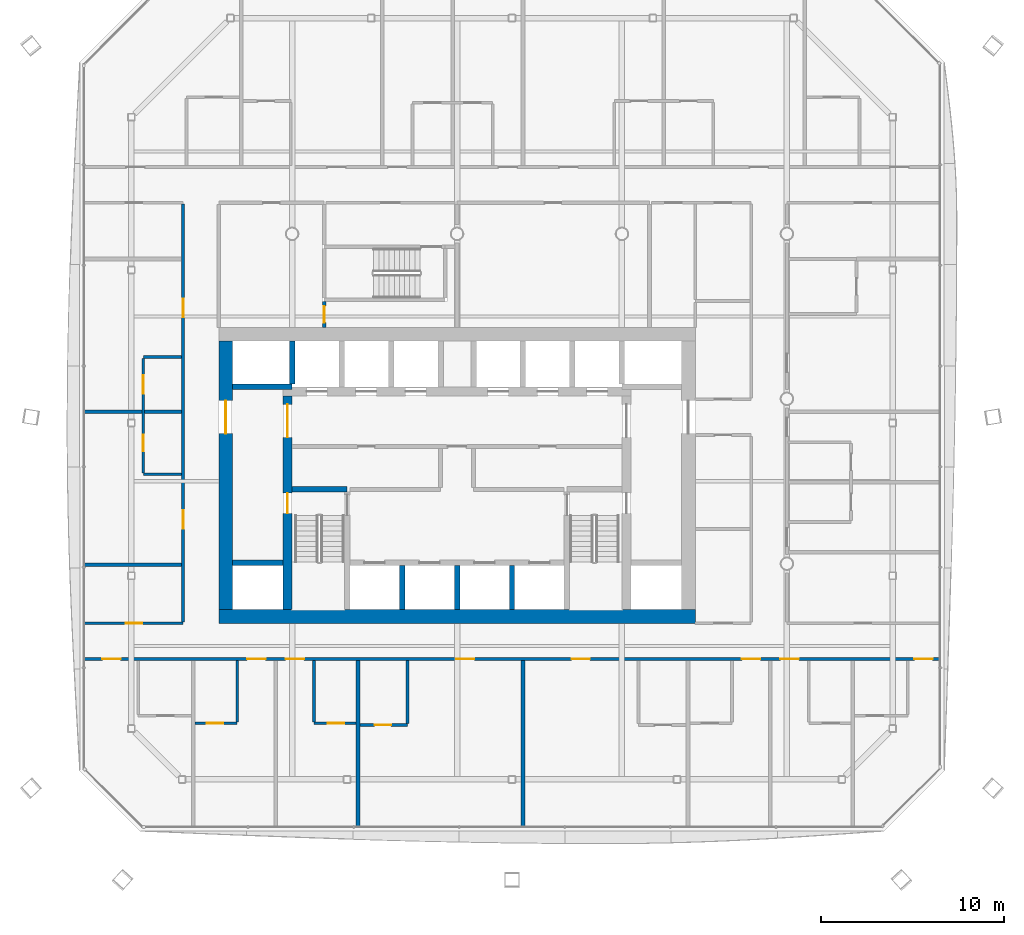
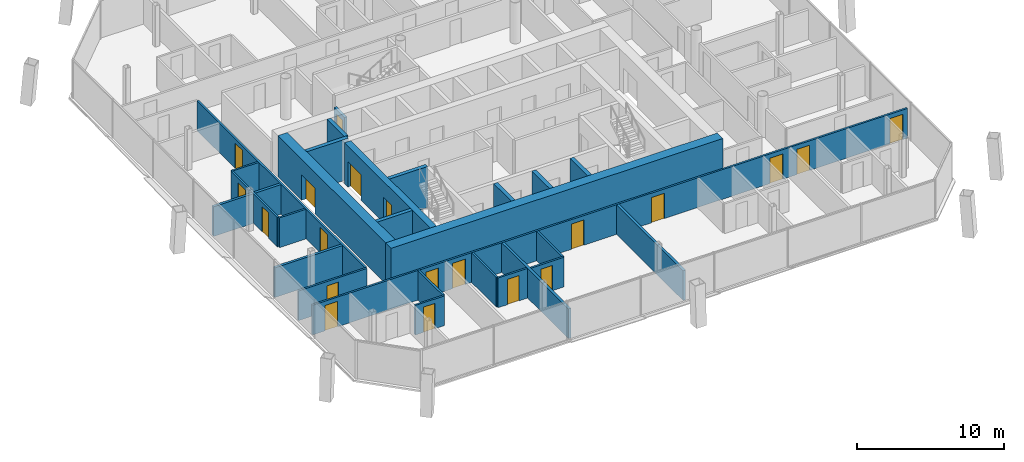
# One storey, part 13 of 22: 27 walls, 20 doors, 20 openings.
"""IFC4 building model written with IfcOpenShell, lengths in metres."""

import ifcopenshell
import ifcopenshell.guid

model = None  # the IFC model being written
_history = None  # IfcOwnerHistory: only IFC2X3 demands one
_inside = {}  # id of a spatial element -> (the spatial element, [elements in it])
_under = {}  # id of a project, library or spatial element -> (it, [spatial elements below it])
_declared = {}  # id of a project -> (the project, [libraries it declares])
_typed = {}  # id of a type object -> (the type object, [elements of that type])
_made_of = {}  # id of a material, layer set ... -> (it, [elements and type objects made of it])


def new_model(schema):
    """Start an empty IFC model of exactly this schema.

    Asked for "IFC4X3", IfcOpenShell would pick the latest addendum, in which some entities
    have other attributes; the version numbers below select the first issue.
    IFC2X3 requires an IfcOwnerHistory on every rooted entity: one is made here for all.
    """
    global model, _history
    if schema == "IFC4X3":
        model = ifcopenshell.file(schema_version=(4, 3, 0, 0))
    else:
        model = ifcopenshell.file(schema=schema)
    _inside.clear()
    _under.clear()
    _declared.clear()
    _typed.clear()
    _made_of.clear()
    _history = None
    if model.schema == "IFC2X3":
        org = make("IfcOrganization", Name="unknown")
        user = make(
            "IfcPersonAndOrganization",
            ThePerson=make("IfcPerson", FamilyName="unknown"),
            TheOrganization=org,
        )
        app = make(
            "IfcApplication",
            ApplicationDeveloper=org,
            Version="unknown",
            ApplicationFullName="unknown",
            ApplicationIdentifier="unknown",
        )
        _history = make(
            "IfcOwnerHistory",
            OwningUser=user,
            OwningApplication=app,
            ChangeAction="ADDED",
            CreationDate=0,
        )
    return model


def make(cls, **values):
    """One entity of the class cls with the attributes given. An attribute that is None is left unset."""
    return model.create_entity(
        cls, **{name: value for name, value in values.items() if value is not None}
    )


def rooted(cls, **values):
    """An entity with a GlobalId (a new one), such as an element, a storey or a relation."""
    return make(cls, GlobalId=ifcopenshell.guid.new(), OwnerHistory=_history, **values)


def si_unit(unit_type, name, prefix=None):
    """IfcSIUnit, for example si_unit("LENGTHUNIT", "METRE", prefix="MILLI")."""
    return make("IfcSIUnit", UnitType=unit_type, Prefix=prefix, Name=name)


def assignment(units):
    """IfcUnitAssignment: the units of a project."""
    return None if units is None else make("IfcUnitAssignment", Units=units)


def point(xyz):
    """IfcCartesianPoint."""
    return None if xyz is None else make("IfcCartesianPoint", Coordinates=xyz)


def direction(xyz):
    """IfcDirection."""
    return None if xyz is None else make("IfcDirection", DirectionRatios=xyz)


def frame(location, z_axis=None, x_axis=None):
    """IfcAxis2Placement3D, a coordinate frame: its origin and axes. An axis left out is left unset."""
    return make(
        "IfcAxis2Placement3D",
        Location=point(location),
        Axis=direction(z_axis),
        RefDirection=direction(x_axis),
    )


def frame_2d(location, x_axis=None):
    """IfcAxis2Placement2D, a coordinate frame in the plane: its origin and x axis."""
    return make(
        "IfcAxis2Placement2D", Location=point(location), RefDirection=direction(x_axis)
    )


def origin():
    """The frame at (0, 0, 0) with its axes left unset."""
    return frame((0.0, 0.0, 0.0))


def place(relative_to, where):
    """IfcLocalPlacement: puts the frame where relative to a parent placement (None: the world)."""
    return make(
        "IfcLocalPlacement", PlacementRelTo=relative_to, RelativePlacement=where
    )


def context(
    kind, dimensions, precision=None, world=None, true_north=None, identifier=None
):
    """IfcGeometricRepresentationContext, for example the 3D "Model" context."""
    return make(
        "IfcGeometricRepresentationContext",
        ContextIdentifier=identifier,
        ContextType=kind,
        CoordinateSpaceDimension=dimensions,
        Precision=precision,
        WorldCoordinateSystem=world,
        TrueNorth=true_north,
    )


def subcontext(parent, identifier, kind, view, scale=None):
    """IfcGeometricRepresentationSubContext, for example "Body" below "Model"."""
    return make(
        "IfcGeometricRepresentationSubContext",
        ContextIdentifier=identifier,
        ContextType=kind,
        ParentContext=parent,
        TargetScale=scale,
        TargetView=view,
    )


def project(units=None, contexts=None):
    """IfcProject with its units and contexts."""
    return rooted(
        "IfcProject",
        Name="project",
        RepresentationContexts=contexts,
        UnitsInContext=assignment(units),
    )


def spatial(cls, under=None, at=None, **own):
    """A site, building, storey or space (cls), placed at a placement, below another one or the project."""
    s = rooted(cls, ObjectPlacement=at, **own)
    if under is not None:
        _under.setdefault(under.id(), (under, []))[1].append(s)
    return s


def profile(cls, at=None, kind="AREA", **sizes):
    """A parametric profile (cls). Its sizes go by their IFC names, for example OverallWidth=200.0."""
    return make(cls, ProfileType=kind, Position=at, **sizes)


def rectangle(**sizes):
    """IfcRectangleProfileDef."""
    return profile("IfcRectangleProfileDef", **sizes)


def extrude(swept, where, along, depth):
    """IfcExtrudedAreaSolid: the profile swept, set in the frame where, extruded along a direction by depth."""
    return make(
        "IfcExtrudedAreaSolid",
        SweptArea=swept,
        Position=where,
        ExtrudedDirection=direction(along),
        Depth=depth,
    )


def shape(context_of_items, identifier, shape_type, items):
    """IfcShapeRepresentation: the items that make up one representation, for example the "Body"."""
    return make(
        "IfcShapeRepresentation",
        ContextOfItems=context_of_items,
        RepresentationIdentifier=identifier,
        RepresentationType=shape_type,
        Items=items,
    )


def material(Name=None, Category=None):
    """IfcMaterial."""
    return make("IfcMaterial", Name=Name, Category=Category)


def layer(
    of_material, thickness, ventilated=None, Name=None, Category=None, Priority=None
):
    """IfcMaterialLayer: one layer of a wall or slab, of a material (None: an air gap)."""
    return make(
        "IfcMaterialLayer",
        Material=of_material,
        LayerThickness=thickness,
        IsVentilated=ventilated,
        Name=Name,
        Category=Category,
        Priority=Priority,
    )


def layer_set(layers, Name=None):
    """IfcMaterialLayerSet."""
    return make("IfcMaterialLayerSet", MaterialLayers=layers, LayerSetName=Name)


def made_of(thing, what):
    """Note that an element or type object is made of a material, layer set ...; save() writes the relation."""
    if what is not None:
        _made_of.setdefault(what.id(), (what, []))[1].append(thing)
    return thing


def type_object(cls, material=None, **own):
    """A type object (cls), such as IfcWallType, which elements share."""
    return made_of(rooted(cls, **own), material)


def element(
    cls,
    number,
    at=None,
    inside=None,
    cuts=None,
    type_object=None,
    material=None,
    context=None,
    identifier="Body",
    shape_type=None,
    held_by="IfcProductDefinitionShape",
    body=None,
    shapes=None,
    **own,
):
    """One element of the class cls, such as IfcWall. Its Tag is "e" and its number.

    at: its placement. inside: the storey or other place that contains it. cuts: it is an
    opening in that element (IfcRelVoidsElement). A single representation is given by context,
    identifier, shape_type and body (its items); several are given by shapes. held_by: the class
    of the entity that holds the representations. save() writes the other relations.
    """
    e = rooted(cls, Tag="e%d" % number, ObjectPlacement=at, **own)
    if body is not None:
        shapes = [shape(context, identifier, shape_type, body)]
    if shapes is not None:
        e.Representation = make(held_by, Representations=shapes)
    if inside is not None:
        _inside.setdefault(inside.id(), (inside, []))[1].append(e)
    if cuts is not None:
        rooted(
            "IfcRelVoidsElement", RelatingBuildingElement=cuts, RelatedOpeningElement=e
        )
    if type_object is not None:
        _typed.setdefault(type_object.id(), (type_object, []))[1].append(e)
    return made_of(e, material)


def fill(opening, filler):
    """IfcRelFillsElement: the door or window that sits in an opening."""
    return rooted(
        "IfcRelFillsElement",
        RelatingOpeningElement=opening,
        RelatedBuildingElement=filler,
    )


def aggregate(whole, parts):
    """IfcRelAggregates: a whole, such as a stair, and the parts it consists of."""
    return rooted("IfcRelAggregates", RelatingObject=whole, RelatedObjects=parts)


def save(model, path):
    """Write the relations noted so far, then the file.

    IfcRelAggregates (storeys below a building ...), IfcRelContainedInSpatialStructure (elements
    in a storey), IfcRelDefinesByType, IfcRelAssociatesMaterial and IfcRelDeclares: one each for
    every whole, place, type object, material and project.
    """
    for whole, parts in _under.values():
        aggregate(whole, parts)
    for where, things in _inside.values():
        rooted(
            "IfcRelContainedInSpatialStructure",
            RelatedElements=things,
            RelatingStructure=where,
        )
    for kind, things in _typed.values():
        rooted("IfcRelDefinesByType", RelatedObjects=things, RelatingType=kind)
    for what, things in _made_of.values():
        rooted("IfcRelAssociatesMaterial", RelatedObjects=things, RelatingMaterial=what)
    for by, libraries in _declared.values():
        rooted("IfcRelDeclares", RelatingContext=by, RelatedDefinitions=libraries)
    model.write(path)


model = new_model("IFC4")

# Units and contexts
model_context = context("Model", 3, precision=1e-05, world=origin(), true_north=direction((0.0, 1.0)))
body_context = subcontext(model_context, "Body", "Model", "MODEL_VIEW")
ifc_project = project(units=[si_unit("LENGTHUNIT", "METRE"), si_unit("AREAUNIT", "SQUARE_METRE"), si_unit("VOLUMEUNIT", "CUBIC_METRE"), si_unit("PLANEANGLEUNIT", "RADIAN"), si_unit("MASSUNIT", "GRAM", prefix="KILO")], contexts=[model_context])

# Site, building, storey
site_placement = place(None, origin())
site = spatial("IfcSite", under=ifc_project, at=site_placement, CompositionType="ELEMENT")
building_placement = place(site_placement, origin())
building = spatial("IfcBuilding", under=site, at=building_placement, Name="Tskaro Facet Tower", CompositionType="ELEMENT")
storey_placement = place(building_placement, frame((0.0, 0.0, 124.89990234375)))
storey = spatial("IfcBuildingStorey", under=building, at=storey_placement, Name="L29", CompositionType="ELEMENT", Elevation=124.89990234375)

# Walls
ifc_material_1 = material(Name="Concrete C60/75", Category="concrete")
ifc_layer_1 = layer(ifc_material_1, 0.300048828125, Name="Concrete C60/75")
ifc_layer_set_1 = layer_set([ifc_layer_1], Name="Concrete C60/75")
wall_type_1 = type_object("IfcWallType", Name="CORE-SHAFT", PredefinedType="SHEAR", material=ifc_layer_set_1)
wall_1_placement = place(storey_placement, frame((-12.25, -8.949951171875, 0.0), z_axis=(0.0, 0.0, 1.0), x_axis=(1.0, 0.0, 0.0)))
element("IfcWall", 1, at=wall_1_placement, inside=storey, type_object=wall_type_1, Name="Shaft wall W014", PredefinedType="SHEAR", context=body_context, shape_type="SweptSolid", body=[
    extrude(rectangle(XDim=2.75, YDim=0.300048828125, at=frame_2d((1.375, 0.0))), origin(), (0.0, 0.0, 1.0), 3.400146484375),
])
wall_2_placement = place(storey_placement, frame((-9.0, -4.949951171875, 0.0), z_axis=(0.0, 0.0, 1.0), x_axis=(1.0, 0.0, 0.0)))
element("IfcWall", 2, at=wall_2_placement, inside=storey, type_object=wall_type_1, Name="Shaft wall W020", PredefinedType="SHEAR", context=body_context, shape_type="SweptSolid", body=[
    extrude(rectangle(XDim=3.0, YDim=0.300048828125, at=frame_2d((1.5, 0.0))), origin(), (0.0, 0.0, 1.0), 3.400146484375),
])
wall_3_placement = place(storey_placement, frame((-9.0, 0.64990234375, 0.0), z_axis=(0.0, 0.0, 1.0), x_axis=(-1.0, 0.0, 0.0)))
element("IfcWall", 3, at=wall_3_placement, inside=storey, type_object=wall_type_1, Name="Shaft wall W032", PredefinedType="SHEAR", context=body_context, shape_type="SweptSolid", body=[
    extrude(rectangle(XDim=3.25, YDim=0.300048828125, at=frame_2d((1.625, 0.0))), origin(), (0.0, 0.0, 1.0), 3.400146484375),
])
wall_4_placement = place(storey_placement, frame((-9.0, 0.800048828125, 0.0), z_axis=(0.0, 0.0, 1.0), x_axis=(0.0, 1.0, 0.0)))
element("IfcWall", 4, at=wall_4_placement, inside=storey, type_object=wall_type_1, Name="Shaft wall W065", PredefinedType="SHEAR", context=body_context, shape_type="SweptSolid", body=[
    extrude(rectangle(XDim=2.349853515625, YDim=0.300048828125, at=frame_2d((1.1748046875, 0.0))), origin(), (0.0, 0.0, 1.0), 3.400146484375),
])
for number, where, z_axis, x_axis, name in (
    (5, (-3.0, -11.5, 0.0), (0.0, 0.0, 1.0), (0.0, 1.0, 0.0), "Shaft wall W075"),
    (6, (0.0, -11.5, 0.0), (0.0, 0.0, 1.0), (0.0, 1.0, 0.0), "Shaft wall W082"),
    (7, (3.0, -11.5, 0.0), (0.0, 0.0, 1.0), (0.0, 1.0, 0.0), "Shaft wall W088"),
):
    element("IfcWall", number, at=place(storey_placement, frame(where, z_axis=z_axis, x_axis=x_axis)), inside=storey, type_object=wall_type_1, Name=name, PredefinedType="SHEAR", context=body_context, shape_type="SweptSolid", body=[
        extrude(rectangle(XDim=2.39990234375, YDim=0.300048828125, at=frame_2d((1.199951171875, 0.0))), origin(), (0.0, 0.0, 1.0), 3.400146484375),
    ])

# Wall, openings, doors
ifc_material_2 = material(Name="Concrete C40/50", Category="concrete")
ifc_layer_2 = layer(ifc_material_2, 0.5, Name="Concrete C40/50")
ifc_layer_set_2 = layer_set([ifc_layer_2], Name="Concrete C40/50")
wall_type_2 = type_object("IfcWallType", Name="Core wall 500", PredefinedType="SHEAR", material=ifc_layer_set_2)
wall_5_placement = place(storey_placement, frame((-9.25, -11.5, 0.0), z_axis=(0.0, 0.0, 1.0), x_axis=(0.0, 1.0, 0.0)))
wall_5 = element("IfcWall", 8, at=wall_5_placement, inside=storey, type_object=wall_type_2, Name="Core wall CW-Z3W", PredefinedType="SHEAR", context=body_context, shape_type="SweptSolid", body=[
    extrude(rectangle(XDim=11.64990234375, YDim=0.5, at=frame_2d((5.824951171875, 0.0))), origin(), (0.0, 0.0, 1.0), 3.400146484375),
])
opening_1_placement = place(wall_5_placement, frame((9.39990234375, 0.0, 0.0)))
opening_1 = element("IfcOpeningElement", 9, at=opening_1_placement, cuts=wall_5, Name="Opening T8-D31", PredefinedType="OPENING", context=body_context, shape_type="SweptSolid", body=[
    extrude(rectangle(XDim=1.800048828125, YDim=2.10009765625, at=frame_2d((0.89990234375, 1.050048828125))), frame((0.0, 0.260009765625, 0.0), z_axis=(0.0, -1.0, 0.0), x_axis=(1.0, 0.0, 0.0)), (0.0, 0.0, 1.0), 0.52001953125),
])
opening_2_placement = place(wall_5_placement, frame((5.25, 0.0, 0.0)))
opening_2 = element("IfcOpeningElement", 10, at=opening_2_placement, cuts=wall_5, Name="Opening ST-1-D2", PredefinedType="OPENING", context=body_context, shape_type="SweptSolid", body=[
    extrude(rectangle(XDim=1.10009765625, YDim=2.10009765625, at=frame_2d((0.550048828125, 1.050048828125))), frame((0.0, 0.260009765625, 0.0), z_axis=(0.0, -1.0, 0.0), x_axis=(1.0, 0.0, 0.0)), (0.0, 0.0, 1.0), 0.52001953125),
])
ifc_material_3 = material(Name="Steel", Category="steel")
door_type_1 = type_object("IfcDoorType", Name="D-CORE-PAIR", OperationType="NOTDEFINED", PredefinedType="DOOR", material=ifc_material_3)
door_1_placement = place(opening_1_placement, origin())
door_1 = element("IfcDoor", 11, at=door_1_placement, inside=storey, type_object=door_type_1, Name="Door T8-D31", OperationType="DOUBLE_DOOR_SINGLE_SWING", OverallHeight=2.10009765625, OverallWidth=1.800048828125, PredefinedType="DOOR", context=body_context, shape_type="SweptSolid", body=[
    extrude(rectangle(XDim=1.800048828125, YDim=2.10009765625, at=frame_2d((0.89990234375, 1.050048828125))), frame((0.0, 0.02490234375, 0.0), z_axis=(0.0, -1.0, 0.0), x_axis=(1.0, 0.0, 0.0)), (0.0, 0.0, 1.0), 0.050048828125),
])
fill(opening_1, door_1)
door_type_2 = type_object("IfcDoorType", Name="D-STAIR", OperationType="NOTDEFINED", PredefinedType="DOOR", material=ifc_material_3)
door_2_placement = place(opening_2_placement, origin())
door_2 = element("IfcDoor", 12, at=door_2_placement, inside=storey, type_object=door_type_2, Name="Stair door 1 west", OperationType="SINGLE_SWING_LEFT", OverallHeight=2.10009765625, OverallWidth=1.10009765625, PredefinedType="DOOR", context=body_context, shape_type="SweptSolid", body=[
    extrude(rectangle(XDim=1.10009765625, YDim=2.10009765625, at=frame_2d((0.550048828125, 1.050048828125))), frame((0.0, 0.02490234375, 0.0), z_axis=(0.0, -1.0, 0.0), x_axis=(1.0, 0.0, 0.0)), (0.0, 0.0, 1.0), 0.050048828125),
])
fill(opening_2, door_2)

# Wall
ifc_material_4 = material(Name="Concrete C50/60", Category="concrete")
ifc_layer_3 = layer(ifc_material_4, 0.75, Name="Concrete C50/60")
ifc_layer_set_3 = layer_set([ifc_layer_3], Name="Concrete C50/60")
wall_type_3 = type_object("IfcWallType", Name="Core wall 750", PredefinedType="SHEAR", material=ifc_layer_set_3)
wall_6_placement = place(storey_placement, frame((-13.0, -11.875, 0.0), z_axis=(0.0, 0.0, 1.0), x_axis=(1.0, 0.0, 0.0)))
element("IfcWall", 13, at=wall_6_placement, inside=storey, type_object=wall_type_3, Name="Core wall CW-Z2S", PredefinedType="SHEAR", context=body_context, shape_type="SweptSolid", body=[
    extrude(rectangle(XDim=26.0, YDim=0.75, at=frame_2d((13.0, 0.0))), origin(), (0.0, 0.0, 1.0), 3.400146484375),
])

# Wall, opening, door
wall_7_placement = place(storey_placement, frame((-12.625, -11.5, 0.0), z_axis=(0.0, 0.0, 1.0), x_axis=(0.0, 1.0, 0.0)))
wall_7 = element("IfcWall", 14, at=wall_7_placement, inside=storey, type_object=wall_type_3, Name="Core wall CW-Z2W", PredefinedType="SHEAR", context=body_context, shape_type="SweptSolid", body=[
    extrude(rectangle(XDim=14.64990234375, YDim=0.75, at=frame_2d((7.324951171875, 0.0))), origin(), (0.0, 0.0, 1.0), 3.400146484375),
])
opening_3_placement = place(wall_7_placement, frame((9.60009765625, 0.0, 0.0)))
opening_3 = element("IfcOpeningElement", 15, at=opening_3_placement, cuts=wall_7, Name="Opening T8-D33", PredefinedType="OPENING", context=body_context, shape_type="SweptSolid", body=[
    extrude(rectangle(XDim=1.800048828125, YDim=2.10009765625, at=frame_2d((0.89990234375, 1.050048828125))), frame((0.0, 0.385009765625, 0.0), z_axis=(0.0, -1.0, 0.0), x_axis=(1.0, 0.0, 0.0)), (0.0, 0.0, 1.0), 0.77001953125),
])
door_3_placement = place(opening_3_placement, origin())
door_3 = element("IfcDoor", 16, at=door_3_placement, inside=storey, type_object=door_type_1, Name="Door T8-D33", OperationType="DOUBLE_DOOR_SINGLE_SWING", OverallHeight=2.10009765625, OverallWidth=1.800048828125, PredefinedType="DOOR", context=body_context, shape_type="SweptSolid", body=[
    extrude(rectangle(XDim=1.800048828125, YDim=2.10009765625, at=frame_2d((0.89990234375, 1.050048828125))), frame((0.0, 0.02490234375, 0.0), z_axis=(0.0, -1.0, 0.0), x_axis=(1.0, 0.0, 0.0)), (0.0, 0.0, 1.0), 0.050048828125),
])
fill(opening_3, door_3)

ifc_material_5 = material(Name="Gypsum board on steel studs", Category="steel")
ifc_layer_4 = layer(ifc_material_5, 0.14990234375, Name="Gypsum board on steel studs")
ifc_layer_set_4 = layer_set([ifc_layer_4], Name="Gypsum board on steel studs")
wall_type_4 = type_object("IfcWallType", Name="PART-CORR", PredefinedType="PARTITIONING", material=ifc_layer_set_4)
wall_8_placement = place(storey_placement, frame((-5.300048828125, -17.800048828125, 0.0), z_axis=(0.0, 0.0, 1.0), x_axis=(1.0, 0.0, 0.0)))
wall_8 = element("IfcWall", 17, at=wall_8_placement, inside=storey, type_object=wall_type_4, Name="Corridor wall W001", PredefinedType="PARTITIONING", context=body_context, shape_type="SweptSolid", body=[
    extrude(rectangle(XDim=2.60009765625, YDim=0.14990234375, at=frame_2d((1.300048828125, 0.0))), origin(), (0.0, 0.0, 1.0), 2.460205078125),
])
opening_4_placement = place(wall_8_placement, frame((0.800048828125, 0.0, 0.0)))
opening_4 = element("IfcOpeningElement", 18, at=opening_4_placement, cuts=wall_8, Name="Opening T8-D01", PredefinedType="OPENING", context=body_context, shape_type="SweptSolid", body=[
    extrude(rectangle(XDim=0.89990234375, YDim=2.10009765625, at=frame_2d((0.449951171875, 1.050048828125))), frame((0.0, 0.0849609375, 0.0), z_axis=(0.0, -1.0, 0.0), x_axis=(1.0, 0.0, 0.0)), (0.0, 0.0, 1.0), 0.169921875),
])
ifc_material_6 = material(Name="Timber", Category="wood")
door_type_3 = type_object("IfcDoorType", Name="D-ROOM", OperationType="NOTDEFINED", PredefinedType="DOOR", material=ifc_material_6)
door_4_placement = place(opening_4_placement, origin())
door_4 = element("IfcDoor", 19, at=door_4_placement, inside=storey, type_object=door_type_3, Name="Door T8-D01", OperationType="SINGLE_SWING_LEFT", OverallHeight=2.10009765625, OverallWidth=0.89990234375, PredefinedType="DOOR", context=body_context, shape_type="SweptSolid", body=[
    extrude(rectangle(XDim=0.89990234375, YDim=2.10009765625, at=frame_2d((0.449951171875, 1.050048828125))), frame((0.0, 0.02490234375, 0.0), z_axis=(0.0, -1.0, 0.0), x_axis=(1.0, 0.0, 0.0)), (0.0, 0.0, 1.0), 0.050048828125),
])
fill(opening_4, door_4)

wall_9_placement = place(storey_placement, frame((-14.299072265625, -17.699951171875, 0.0), z_axis=(0.0, 0.0, 1.0), x_axis=(1.0, 0.0, 0.0)))
wall_9 = element("IfcWall", 20, at=wall_9_placement, inside=storey, type_object=wall_type_4, Name="Corridor wall W003", PredefinedType="PARTITIONING", context=body_context, shape_type="SweptSolid", body=[
    extrude(rectangle(XDim=2.300048828125, YDim=0.14990234375, at=frame_2d((1.14990234375, 0.0))), origin(), (0.0, 0.0, 1.0), 2.460205078125),
])
opening_5_placement = place(wall_9_placement, frame((0.64990234375, 0.0, 0.0)))
opening_5 = element("IfcOpeningElement", 21, at=opening_5_placement, cuts=wall_9, Name="Opening T8-D03", PredefinedType="OPENING", context=body_context, shape_type="SweptSolid", body=[
    extrude(rectangle(XDim=0.89990234375, YDim=2.10009765625, at=frame_2d((0.449951171875, 1.050048828125))), frame((0.0, 0.0849609375, 0.0), z_axis=(0.0, -1.0, 0.0), x_axis=(1.0, 0.0, 0.0)), (0.0, 0.0, 1.0), 0.169921875),
])
door_5_placement = place(opening_5_placement, origin())
door_5 = element("IfcDoor", 22, at=door_5_placement, inside=storey, type_object=door_type_3, Name="Door T8-D03", OperationType="SINGLE_SWING_LEFT", OverallHeight=2.10009765625, OverallWidth=0.89990234375, PredefinedType="DOOR", context=body_context, shape_type="SweptSolid", body=[
    extrude(rectangle(XDim=0.89990234375, YDim=2.10009765625, at=frame_2d((0.449951171875, 1.050048828125))), frame((0.0, 0.02490234375, 0.0), z_axis=(0.0, -1.0, 0.0), x_axis=(1.0, 0.0, 0.0)), (0.0, 0.0, 1.0), 0.050048828125),
])
fill(opening_5, door_5)

wall_10_placement = place(storey_placement, frame((-7.800048828125, -17.699951171875, 0.0), z_axis=(0.0, 0.0, 1.0), x_axis=(1.0, 0.0, 0.0)))
wall_10 = element("IfcWall", 23, at=wall_10_placement, inside=storey, type_object=wall_type_4, Name="Corridor wall W004", PredefinedType="PARTITIONING", context=body_context, shape_type="SweptSolid", body=[
    extrude(rectangle(XDim=2.300048828125, YDim=0.14990234375, at=frame_2d((1.14990234375, 0.0))), origin(), (0.0, 0.0, 1.0), 2.460205078125),
])
opening_6_placement = place(wall_10_placement, frame((0.75, 0.0, 0.0)))
opening_6 = element("IfcOpeningElement", 24, at=opening_6_placement, cuts=wall_10, Name="Opening T8-D04", PredefinedType="OPENING", context=body_context, shape_type="SweptSolid", body=[
    extrude(rectangle(XDim=0.89990234375, YDim=2.10009765625, at=frame_2d((0.449951171875, 1.050048828125))), frame((0.0, 0.0849609375, 0.0), z_axis=(0.0, -1.0, 0.0), x_axis=(1.0, 0.0, 0.0)), (0.0, 0.0, 1.0), 0.169921875),
])
door_6_placement = place(opening_6_placement, origin())
door_6 = element("IfcDoor", 25, at=door_6_placement, inside=storey, type_object=door_type_3, Name="Door T8-D04", OperationType="SINGLE_SWING_LEFT", OverallHeight=2.10009765625, OverallWidth=0.89990234375, PredefinedType="DOOR", context=body_context, shape_type="SweptSolid", body=[
    extrude(rectangle(XDim=0.89990234375, YDim=2.10009765625, at=frame_2d((0.449951171875, 1.050048828125))), frame((0.0, 0.02490234375, 0.0), z_axis=(0.0, -1.0, 0.0), x_axis=(1.0, 0.0, 0.0)), (0.0, 0.0, 1.0), 0.050048828125),
])
fill(opening_6, door_6)

# Wall, openings, doors
wall_11_placement = place(storey_placement, frame((26.31689453125, -14.199951171875, 0.0), z_axis=(0.0, 0.0, 1.0), x_axis=(-1.0, 0.0, 0.0)))
wall_11 = element("IfcWall", 26, at=wall_11_placement, inside=storey, type_object=wall_type_4, Name="Corridor wall W009", PredefinedType="PARTITIONING", context=body_context, shape_type="SweptSolid", body=[
    extrude(rectangle(XDim=46.6337890625, YDim=0.14990234375, at=frame_2d((23.31689453125, 0.0))), origin(), (0.0, 0.0, 1.0), 2.460205078125),
])
opening_7_placement = place(wall_11_placement, frame((44.675048828125, 0.0, 0.0)))
opening_7 = element("IfcOpeningElement", 27, at=opening_7_placement, cuts=wall_11, Name="Opening T8-D09", PredefinedType="OPENING", context=body_context, shape_type="SweptSolid", body=[
    extrude(rectangle(XDim=1.0, YDim=2.10009765625, at=frame_2d((0.5, 1.050048828125))), frame((0.0, 0.0849609375, 0.0), z_axis=(0.0, -1.0, 0.0), x_axis=(1.0, 0.0, 0.0)), (0.0, 0.0, 1.0), 0.169921875),
])
opening_8_placement = place(wall_11_placement, frame((36.76611328125, 0.0, 0.0)))
opening_8 = element("IfcOpeningElement", 28, at=opening_8_placement, cuts=wall_11, Name="Opening T8-D10", PredefinedType="OPENING", context=body_context, shape_type="SweptSolid", body=[
    extrude(rectangle(XDim=1.0, YDim=2.10009765625, at=frame_2d((0.5, 1.050048828125))), frame((0.0, 0.0849609375, 0.0), z_axis=(0.0, -1.0, 0.0), x_axis=(1.0, 0.0, 0.0)), (0.0, 0.0, 1.0), 0.169921875),
])
opening_9_placement = place(wall_11_placement, frame((34.66650390625, 0.0, 0.0)))
opening_9 = element("IfcOpeningElement", 29, at=opening_9_placement, cuts=wall_11, Name="Opening T8-D11", PredefinedType="OPENING", context=body_context, shape_type="SweptSolid", body=[
    extrude(rectangle(XDim=1.0, YDim=2.10009765625, at=frame_2d((0.5, 1.050048828125))), frame((0.0, 0.0849609375, 0.0), z_axis=(0.0, -1.0, 0.0), x_axis=(1.0, 0.0, 0.0)), (0.0, 0.0, 1.0), 0.169921875),
])
opening_10_placement = place(wall_11_placement, frame((25.366943359375, 0.0, 0.0)))
opening_10 = element("IfcOpeningElement", 30, at=opening_10_placement, cuts=wall_11, Name="Opening T8-D12", PredefinedType="OPENING", context=body_context, shape_type="SweptSolid", body=[
    extrude(rectangle(XDim=1.0, YDim=2.10009765625, at=frame_2d((0.5, 1.050048828125))), frame((0.0, 0.0849609375, 0.0), z_axis=(0.0, -1.0, 0.0), x_axis=(1.0, 0.0, 0.0)), (0.0, 0.0, 1.0), 0.169921875),
])
opening_11_placement = place(wall_11_placement, frame((19.06689453125, 0.0, 0.0)))
opening_11 = element("IfcOpeningElement", 31, at=opening_11_placement, cuts=wall_11, Name="Opening T8-D13", PredefinedType="OPENING", context=body_context, shape_type="SweptSolid", body=[
    extrude(rectangle(XDim=1.0, YDim=2.10009765625, at=frame_2d((0.5, 1.050048828125))), frame((0.0, 0.0849609375, 0.0), z_axis=(0.0, -1.0, 0.0), x_axis=(1.0, 0.0, 0.0)), (0.0, 0.0, 1.0), 0.169921875),
])
opening_12_placement = place(wall_11_placement, frame((9.767578125, 0.0, 0.0)))
opening_12 = element("IfcOpeningElement", 32, at=opening_12_placement, cuts=wall_11, Name="Opening T8-D14", PredefinedType="OPENING", context=body_context, shape_type="SweptSolid", body=[
    extrude(rectangle(XDim=1.0, YDim=2.10009765625, at=frame_2d((0.5, 1.050048828125))), frame((0.0, 0.0849609375, 0.0), z_axis=(0.0, -1.0, 0.0), x_axis=(1.0, 0.0, 0.0)), (0.0, 0.0, 1.0), 0.169921875),
])
opening_13_placement = place(wall_11_placement, frame((7.66796875, 0.0, 0.0)))
opening_13 = element("IfcOpeningElement", 33, at=opening_13_placement, cuts=wall_11, Name="Opening T8-D15", PredefinedType="OPENING", context=body_context, shape_type="SweptSolid", body=[
    extrude(rectangle(XDim=1.0, YDim=2.10009765625, at=frame_2d((0.5, 1.050048828125))), frame((0.0, 0.0849609375, 0.0), z_axis=(0.0, -1.0, 0.0), x_axis=(1.0, 0.0, 0.0)), (0.0, 0.0, 1.0), 0.169921875),
])
opening_14_placement = place(wall_11_placement, frame((0.35888671875, 0.0, 0.0)))
opening_14 = element("IfcOpeningElement", 34, at=opening_14_placement, cuts=wall_11, Name="Opening T8-D16", PredefinedType="OPENING", context=body_context, shape_type="SweptSolid", body=[
    extrude(rectangle(XDim=1.0, YDim=2.10009765625, at=frame_2d((0.5, 1.050048828125))), frame((0.0, 0.0849609375, 0.0), z_axis=(0.0, -1.0, 0.0), x_axis=(1.0, 0.0, 0.0)), (0.0, 0.0, 1.0), 0.169921875),
])
door_type_4 = type_object("IfcDoorType", Name="D-ENTRY", OperationType="NOTDEFINED", PredefinedType="DOOR", material=ifc_material_6)
door_7_placement = place(opening_7_placement, origin())
door_7 = element("IfcDoor", 35, at=door_7_placement, inside=storey, type_object=door_type_4, Name="Door T8-D09", OperationType="SINGLE_SWING_LEFT", OverallHeight=2.10009765625, OverallWidth=1.0, PredefinedType="DOOR", context=body_context, shape_type="SweptSolid", body=[
    extrude(rectangle(XDim=1.0, YDim=2.10009765625, at=frame_2d((0.5, 1.050048828125))), frame((0.0, 0.02490234375, 0.0), z_axis=(0.0, -1.0, 0.0), x_axis=(1.0, 0.0, 0.0)), (0.0, 0.0, 1.0), 0.050048828125),
])
fill(opening_7, door_7)
door_8_placement = place(opening_8_placement, origin())
door_8 = element("IfcDoor", 36, at=door_8_placement, inside=storey, type_object=door_type_4, Name="Door T8-D10", OperationType="SINGLE_SWING_RIGHT", OverallHeight=2.10009765625, OverallWidth=1.0, PredefinedType="DOOR", context=body_context, shape_type="SweptSolid", body=[
    extrude(rectangle(XDim=1.0, YDim=2.10009765625, at=frame_2d((0.5, 1.050048828125))), frame((0.0, 0.02490234375, 0.0), z_axis=(0.0, -1.0, 0.0), x_axis=(1.0, 0.0, 0.0)), (0.0, 0.0, 1.0), 0.050048828125),
])
fill(opening_8, door_8)
door_9_placement = place(opening_9_placement, origin())
door_9 = element("IfcDoor", 37, at=door_9_placement, inside=storey, type_object=door_type_4, Name="Door T8-D11", OperationType="SINGLE_SWING_RIGHT", OverallHeight=2.10009765625, OverallWidth=1.0, PredefinedType="DOOR", context=body_context, shape_type="SweptSolid", body=[
    extrude(rectangle(XDim=1.0, YDim=2.10009765625, at=frame_2d((0.5, 1.050048828125))), frame((0.0, 0.02490234375, 0.0), z_axis=(0.0, -1.0, 0.0), x_axis=(1.0, 0.0, 0.0)), (0.0, 0.0, 1.0), 0.050048828125),
])
fill(opening_9, door_9)
door_10_placement = place(opening_10_placement, origin())
door_10 = element("IfcDoor", 38, at=door_10_placement, inside=storey, type_object=door_type_4, Name="Door T8-D12", OperationType="SINGLE_SWING_LEFT", OverallHeight=2.10009765625, OverallWidth=1.0, PredefinedType="DOOR", context=body_context, shape_type="SweptSolid", body=[
    extrude(rectangle(XDim=1.0, YDim=2.10009765625, at=frame_2d((0.5, 1.050048828125))), frame((0.0, 0.02490234375, 0.0), z_axis=(0.0, -1.0, 0.0), x_axis=(1.0, 0.0, 0.0)), (0.0, 0.0, 1.0), 0.050048828125),
])
fill(opening_10, door_10)
door_11_placement = place(opening_11_placement, origin())
door_11 = element("IfcDoor", 39, at=door_11_placement, inside=storey, type_object=door_type_4, Name="Door T8-D13", OperationType="SINGLE_SWING_LEFT", OverallHeight=2.10009765625, OverallWidth=1.0, PredefinedType="DOOR", context=body_context, shape_type="SweptSolid", body=[
    extrude(rectangle(XDim=1.0, YDim=2.10009765625, at=frame_2d((0.5, 1.050048828125))), frame((0.0, 0.02490234375, 0.0), z_axis=(0.0, -1.0, 0.0), x_axis=(1.0, 0.0, 0.0)), (0.0, 0.0, 1.0), 0.050048828125),
])
fill(opening_11, door_11)
door_12_placement = place(opening_12_placement, origin())
door_12 = element("IfcDoor", 40, at=door_12_placement, inside=storey, type_object=door_type_4, Name="Door T8-D14", OperationType="SINGLE_SWING_RIGHT", OverallHeight=2.10009765625, OverallWidth=1.0, PredefinedType="DOOR", context=body_context, shape_type="SweptSolid", body=[
    extrude(rectangle(XDim=1.0, YDim=2.10009765625, at=frame_2d((0.5, 1.050048828125))), frame((0.0, 0.02490234375, 0.0), z_axis=(0.0, -1.0, 0.0), x_axis=(1.0, 0.0, 0.0)), (0.0, 0.0, 1.0), 0.050048828125),
])
fill(opening_12, door_12)
door_13_placement = place(opening_13_placement, origin())
door_13 = element("IfcDoor", 41, at=door_13_placement, inside=storey, type_object=door_type_4, Name="Door T8-D15", OperationType="SINGLE_SWING_RIGHT", OverallHeight=2.10009765625, OverallWidth=1.0, PredefinedType="DOOR", context=body_context, shape_type="SweptSolid", body=[
    extrude(rectangle(XDim=1.0, YDim=2.10009765625, at=frame_2d((0.5, 1.050048828125))), frame((0.0, 0.02490234375, 0.0), z_axis=(0.0, -1.0, 0.0), x_axis=(1.0, 0.0, 0.0)), (0.0, 0.0, 1.0), 0.050048828125),
])
fill(opening_13, door_13)
door_14_placement = place(opening_14_placement, origin())
door_14 = element("IfcDoor", 42, at=door_14_placement, inside=storey, type_object=door_type_4, Name="Door T8-D16", OperationType="SINGLE_SWING_LEFT", OverallHeight=2.10009765625, OverallWidth=1.0, PredefinedType="DOOR", context=body_context, shape_type="SweptSolid", body=[
    extrude(rectangle(XDim=1.0, YDim=2.10009765625, at=frame_2d((0.5, 1.050048828125))), frame((0.0, 0.02490234375, 0.0), z_axis=(0.0, -1.0, 0.0), x_axis=(1.0, 0.0, 0.0)), (0.0, 0.0, 1.0), 0.050048828125),
])
fill(opening_14, door_14)

# Wall, opening, door
wall_12_placement = place(storey_placement, frame((-20.31689453125, -12.25, 0.0), z_axis=(0.0, 0.0, 1.0), x_axis=(1.0, 0.0, 0.0)))
wall_12 = element("IfcWall", 43, at=wall_12_placement, inside=storey, type_object=wall_type_4, Name="Corridor wall W010", PredefinedType="PARTITIONING", context=body_context, shape_type="SweptSolid", body=[
    extrude(rectangle(XDim=5.366943359375, YDim=0.14990234375, at=frame_2d((2.68359375, 0.0))), origin(), (0.0, 0.0, 1.0), 2.460205078125),
])
opening_15_placement = place(wall_12_placement, frame((2.2333984375, 0.0, 0.0)))
opening_15 = element("IfcOpeningElement", 44, at=opening_15_placement, cuts=wall_12, Name="Opening T8-D17", PredefinedType="OPENING", context=body_context, shape_type="SweptSolid", body=[
    extrude(rectangle(XDim=0.89990234375, YDim=2.10009765625, at=frame_2d((0.449951171875, 1.050048828125))), frame((0.0, 0.0849609375, 0.0), z_axis=(0.0, -1.0, 0.0), x_axis=(1.0, 0.0, 0.0)), (0.0, 0.0, 1.0), 0.169921875),
])
door_15_placement = place(opening_15_placement, origin())
door_15 = element("IfcDoor", 45, at=door_15_placement, inside=storey, type_object=door_type_3, Name="Door T8-D17", OperationType="SINGLE_SWING_LEFT", OverallHeight=2.10009765625, OverallWidth=0.89990234375, PredefinedType="DOOR", context=body_context, shape_type="SweptSolid", body=[
    extrude(rectangle(XDim=0.89990234375, YDim=2.10009765625, at=frame_2d((0.449951171875, 1.050048828125))), frame((0.0, 0.02490234375, 0.0), z_axis=(0.0, -1.0, 0.0), x_axis=(1.0, 0.0, 0.0)), (0.0, 0.0, 1.0), 0.050048828125),
])
fill(opening_15, door_15)

# Walls
for number, where, z_axis, x_axis, name in (
    (46, (-17.1201171875, -4.114990234375, 0.0), (0.0, 0.0, 1.0), (1.0, 0.0, 0.0), "Corridor wall W025"),
    (47, (-17.1201171875, 2.284912109375, 0.0), (0.0, 0.0, 1.0), (1.0, 0.0, 0.0), "Corridor wall W034"),
):
    element("IfcWall", number, at=place(storey_placement, frame(where, z_axis=z_axis, x_axis=x_axis)), inside=storey, type_object=wall_type_4, Name=name, PredefinedType="PARTITIONING", context=body_context, shape_type="SweptSolid", body=[
        extrude(rectangle(XDim=2.09521484375, YDim=0.14990234375, at=frame_2d((1.047607421875, 0.0))), origin(), (0.0, 0.0, 1.0), 2.460205078125),
    ])

# Wall, openings, doors
wall_13_placement = place(storey_placement, frame((-17.1201171875, 2.2099609375, 0.0), z_axis=(0.0, 0.0, 1.0), x_axis=(0.0, -1.0, 0.0)))
wall_13 = element("IfcWall", 48, at=wall_13_placement, inside=storey, type_object=wall_type_4, Name="Corridor wall W056", PredefinedType="PARTITIONING", context=body_context, shape_type="SweptSolid", body=[
    extrude(rectangle(XDim=6.25, YDim=0.14990234375, at=frame_2d((3.125, 0.0))), origin(), (0.0, 0.0, 1.0), 2.460205078125),
])
opening_16_placement = place(wall_13_placement, frame((4.175048828125, 0.0, 0.0)))
opening_16 = element("IfcOpeningElement", 49, at=opening_16_placement, cuts=wall_13, Name="Opening T8-D28", PredefinedType="OPENING", context=body_context, shape_type="SweptSolid", body=[
    extrude(rectangle(XDim=0.89990234375, YDim=2.10009765625, at=frame_2d((0.449951171875, 1.050048828125))), frame((0.0, 0.0849609375, 0.0), z_axis=(0.0, -1.0, 0.0), x_axis=(1.0, 0.0, 0.0)), (0.0, 0.0, 1.0), 0.169921875),
])
opening_17_placement = place(wall_13_placement, frame((0.925048828125, 0.0, 0.0)))
opening_17 = element("IfcOpeningElement", 50, at=opening_17_placement, cuts=wall_13, Name="Opening T8-D38", PredefinedType="OPENING", context=body_context, shape_type="SweptSolid", body=[
    extrude(rectangle(XDim=1.0, YDim=2.10009765625, at=frame_2d((0.5, 1.050048828125))), frame((0.0, 0.0849609375, 0.0), z_axis=(0.0, -1.0, 0.0), x_axis=(1.0, 0.0, 0.0)), (0.0, 0.0, 1.0), 0.169921875),
])
door_16_placement = place(opening_16_placement, origin())
door_16 = element("IfcDoor", 51, at=door_16_placement, inside=storey, type_object=door_type_3, Name="Door T8-D28", OperationType="SINGLE_SWING_RIGHT", OverallHeight=2.10009765625, OverallWidth=0.89990234375, PredefinedType="DOOR", context=body_context, shape_type="SweptSolid", body=[
    extrude(rectangle(XDim=0.89990234375, YDim=2.10009765625, at=frame_2d((0.449951171875, 1.050048828125))), frame((0.0, 0.02490234375, 0.0), z_axis=(0.0, -1.0, 0.0), x_axis=(1.0, 0.0, 0.0)), (0.0, 0.0, 1.0), 0.050048828125),
])
fill(opening_16, door_16)
door_type_5 = type_object("IfcDoorType", Name="D-ROOM-WIDE", OperationType="NOTDEFINED", PredefinedType="DOOR", material=ifc_material_6)
door_17_placement = place(opening_17_placement, origin())
door_17 = element("IfcDoor", 52, at=door_17_placement, inside=storey, type_object=door_type_5, Name="Door T8-D38", OperationType="SINGLE_SWING_RIGHT", OverallHeight=2.10009765625, OverallWidth=1.0, PredefinedType="DOOR", context=body_context, shape_type="SweptSolid", body=[
    extrude(rectangle(XDim=1.0, YDim=2.10009765625, at=frame_2d((0.5, 1.050048828125))), frame((0.0, 0.02490234375, 0.0), z_axis=(0.0, -1.0, 0.0), x_axis=(1.0, 0.0, 0.0)), (0.0, 0.0, 1.0), 0.050048828125),
])
fill(opening_17, door_17)

wall_14_placement = place(storey_placement, frame((-14.949951171875, -12.175048828125, 0.0), z_axis=(0.0, 0.0, 1.0), x_axis=(0.0, 1.0, 0.0)))
wall_14 = element("IfcWall", 53, at=wall_14_placement, inside=storey, type_object=wall_type_4, Name="Corridor wall W057", PredefinedType="PARTITIONING", context=body_context, shape_type="SweptSolid", body=[
    extrude(rectangle(XDim=22.800048828125, YDim=0.14990234375, at=frame_2d((11.39990234375, 0.0))), origin(), (0.0, 0.0, 1.0), 2.460205078125),
])
opening_18_placement = place(wall_14_placement, frame((5.089111328125, 0.0, 0.0)))
opening_18 = element("IfcOpeningElement", 54, at=opening_18_placement, cuts=wall_14, Name="Opening T8-D23", PredefinedType="OPENING", context=body_context, shape_type="SweptSolid", body=[
    extrude(rectangle(XDim=1.0, YDim=2.10009765625, at=frame_2d((0.5, 1.050048828125))), frame((0.0, 0.0849609375, 0.0), z_axis=(0.0, -1.0, 0.0), x_axis=(1.0, 0.0, 0.0)), (0.0, 0.0, 1.0), 0.169921875),
])
opening_19_placement = place(wall_14_placement, frame((16.630615234375, 0.0, 0.0)))
opening_19 = element("IfcOpeningElement", 55, at=opening_19_placement, cuts=wall_14, Name="Opening T8-D41", PredefinedType="OPENING", context=body_context, shape_type="SweptSolid", body=[
    extrude(rectangle(XDim=1.0, YDim=2.10009765625, at=frame_2d((0.5, 1.050048828125))), frame((0.0, 0.0849609375, 0.0), z_axis=(0.0, -1.0, 0.0), x_axis=(1.0, 0.0, 0.0)), (0.0, 0.0, 1.0), 0.169921875),
])
door_18_placement = place(opening_18_placement, origin())
door_18 = element("IfcDoor", 56, at=door_18_placement, inside=storey, type_object=door_type_4, Name="Door T8-D23", OperationType="SINGLE_SWING_RIGHT", OverallHeight=2.10009765625, OverallWidth=1.0, PredefinedType="DOOR", context=body_context, shape_type="SweptSolid", body=[
    extrude(rectangle(XDim=1.0, YDim=2.10009765625, at=frame_2d((0.5, 1.050048828125))), frame((0.0, 0.02490234375, 0.0), z_axis=(0.0, -1.0, 0.0), x_axis=(1.0, 0.0, 0.0)), (0.0, 0.0, 1.0), 0.050048828125),
])
fill(opening_18, door_18)
door_19_placement = place(opening_19_placement, origin())
door_19 = element("IfcDoor", 57, at=door_19_placement, inside=storey, type_object=door_type_4, Name="Door T8-D41", OperationType="SINGLE_SWING_LEFT", OverallHeight=2.10009765625, OverallWidth=1.0, PredefinedType="DOOR", context=body_context, shape_type="SweptSolid", body=[
    extrude(rectangle(XDim=1.0, YDim=2.10009765625, at=frame_2d((0.5, 1.050048828125))), frame((0.0, 0.02490234375, 0.0), z_axis=(0.0, -1.0, 0.0), x_axis=(1.0, 0.0, 0.0)), (0.0, 0.0, 1.0), 0.050048828125),
])
fill(opening_19, door_19)

# Walls
for number, where, z_axis, x_axis, name in (
    (58, (-11.9990234375, -17.625, 0.0), (0.0, 0.0, 1.0), (0.0, 1.0, 0.0), "Corridor wall W061"),
    (59, (-7.800048828125, -17.625, 0.0), (0.0, 0.0, 1.0), (0.0, 1.0, 0.0), "Corridor wall W066"),
):
    element("IfcWall", number, at=place(storey_placement, frame(where, z_axis=z_axis, x_axis=x_axis)), inside=storey, type_object=wall_type_4, Name=name, PredefinedType="PARTITIONING", context=body_context, shape_type="SweptSolid", body=[
        extrude(rectangle(XDim=3.35009765625, YDim=0.14990234375, at=frame_2d((1.675048828125, 0.0))), origin(), (0.0, 0.0, 1.0), 2.460205078125),
    ])
wall_15_placement = place(storey_placement, frame((-2.699951171875, -17.72509765625, 0.0), z_axis=(0.0, 0.0, 1.0), x_axis=(0.0, 1.0, 0.0)))
element("IfcWall", 60, at=wall_15_placement, inside=storey, type_object=wall_type_4, Name="Corridor wall W076", PredefinedType="PARTITIONING", context=body_context, shape_type="SweptSolid", body=[
    extrude(rectangle(XDim=3.4501953125, YDim=0.14990234375, at=frame_2d((1.72509765625, 0.0))), origin(), (0.0, 0.0, 1.0), 2.460205078125),
])
ifc_layer_5 = layer(ifc_material_5, 0.199951171875, Name="Gypsum board on steel studs")
ifc_layer_set_5 = layer_set([ifc_layer_5], Name="Gypsum board on steel studs")
wall_type_5 = type_object("IfcWallType", Name="PART-DEMISING", PredefinedType="PARTITIONING", material=ifc_layer_set_5)
for number, where, z_axis, x_axis, name in (
    (61, (-20.31689453125, -9.056884765625, 0.0), (0.0, 0.0, 1.0), (1.0, 0.0, 0.0), "Guest room wall W013"),
    (62, (-20.31689453125, -0.715087890625, 0.0), (0.0, 0.0, 1.0), (1.0, 0.0, 0.0), "Guest room wall W030"),
):
    element("IfcWall", number, at=place(storey_placement, frame(where, z_axis=z_axis, x_axis=x_axis)), inside=storey, type_object=wall_type_5, Name=name, PredefinedType="PARTITIONING", context=body_context, shape_type="SweptSolid", body=[
        extrude(rectangle(XDim=5.2919921875, YDim=0.199951171875, at=frame_2d((2.64599609375, 0.0))), origin(), (0.0, 0.0, 1.0), 2.460205078125),
    ])
for number, where, z_axis, x_axis, name in (
    (63, (-5.39990234375, -23.31689453125, 0.0), (0.0, 0.0, 1.0), (0.0, 1.0, 0.0), "Guest room wall W072"),
    (64, (3.60009765625, -23.31689453125, 0.0), (0.0, 0.0, 1.0), (0.0, 1.0, 0.0), "Guest room wall W089"),
):
    element("IfcWall", number, at=place(storey_placement, frame(where, z_axis=z_axis, x_axis=x_axis)), inside=storey, type_object=wall_type_5, Name=name, PredefinedType="PARTITIONING", context=body_context, shape_type="SweptSolid", body=[
        extrude(rectangle(XDim=9.0419921875, YDim=0.199951171875, at=frame_2d((4.52099609375, 0.0))), origin(), (0.0, 0.0, 1.0), 2.460205078125),
    ])

# Wall, opening, door
ifc_material_7 = material(Name="Concrete C20/25", Category="concrete")
ifc_layer_6 = layer(ifc_material_7, 0.199951171875, Name="Concrete C20/25")
ifc_layer_set_6 = layer_set([ifc_layer_6], Name="Concrete C20/25")
wall_type_6 = type_object("IfcWallType", Name="WALL-RISER", PredefinedType="SOLIDWALL", material=ifc_layer_set_6)
wall_16_placement = place(storey_placement, frame((-7.25, 5.300048828125, 0.0), z_axis=(0.0, 0.0, 1.0), x_axis=(0.0, -1.0, 0.0)))
wall_16 = element("IfcWall", 65, at=wall_16_placement, inside=storey, type_object=wall_type_6, Name="Riser room wall W067", PredefinedType="SOLIDWALL", context=body_context, shape_type="SweptSolid", body=[
    extrude(rectangle(XDim=1.400146484375, YDim=0.199951171875, at=frame_2d((0.7001953125, 0.0))), origin(), (0.0, 0.0, 1.0), 2.460205078125),
])
opening_20_placement = place(wall_16_placement, frame((0.25, 0.0, 0.0)))
opening_20 = element("IfcOpeningElement", 66, at=opening_20_placement, cuts=wall_16, Name="Opening T8-D40", PredefinedType="OPENING", context=body_context, shape_type="SweptSolid", body=[
    extrude(rectangle(XDim=0.89990234375, YDim=2.10009765625, at=frame_2d((0.449951171875, 1.050048828125))), frame((0.0, 0.10986328125, 0.0), z_axis=(0.0, -1.0, 0.0), x_axis=(1.0, 0.0, 0.0)), (0.0, 0.0, 1.0), 0.219970703125),
])
door_type_6 = type_object("IfcDoorType", Name="D-RISER", OperationType="NOTDEFINED", PredefinedType="DOOR", material=ifc_material_3)
door_20_placement = place(opening_20_placement, origin())
door_20 = element("IfcDoor", 67, at=door_20_placement, inside=storey, type_object=door_type_6, Name="Door T8-D40", OperationType="SINGLE_SWING_RIGHT", OverallHeight=2.10009765625, OverallWidth=0.89990234375, PredefinedType="DOOR", context=body_context, shape_type="SweptSolid", body=[
    extrude(rectangle(XDim=0.89990234375, YDim=2.10009765625, at=frame_2d((0.449951171875, 1.050048828125))), frame((0.0, 0.02490234375, 0.0), z_axis=(0.0, -1.0, 0.0), x_axis=(1.0, 0.0, 0.0)), (0.0, 0.0, 1.0), 0.050048828125),
])
fill(opening_20, door_20)

save(model, "model.ifc")
